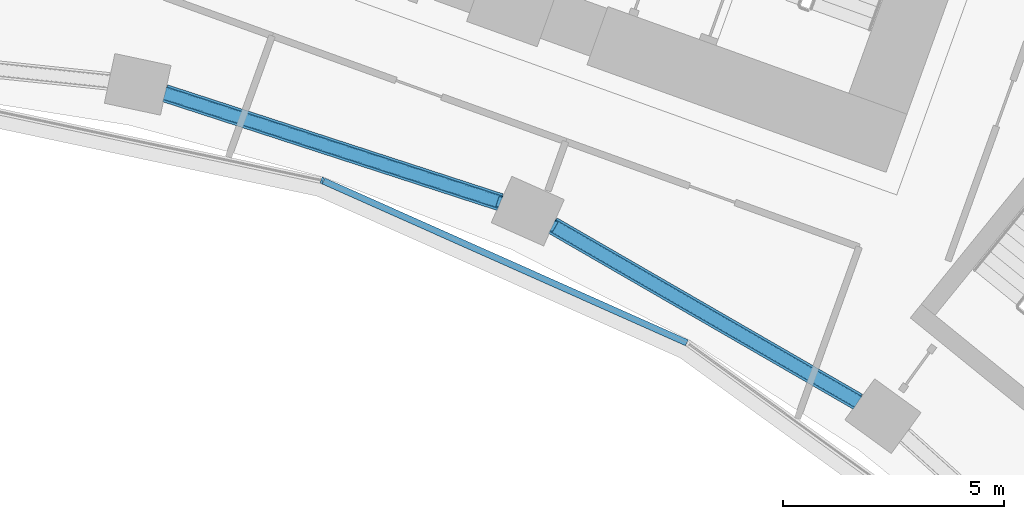
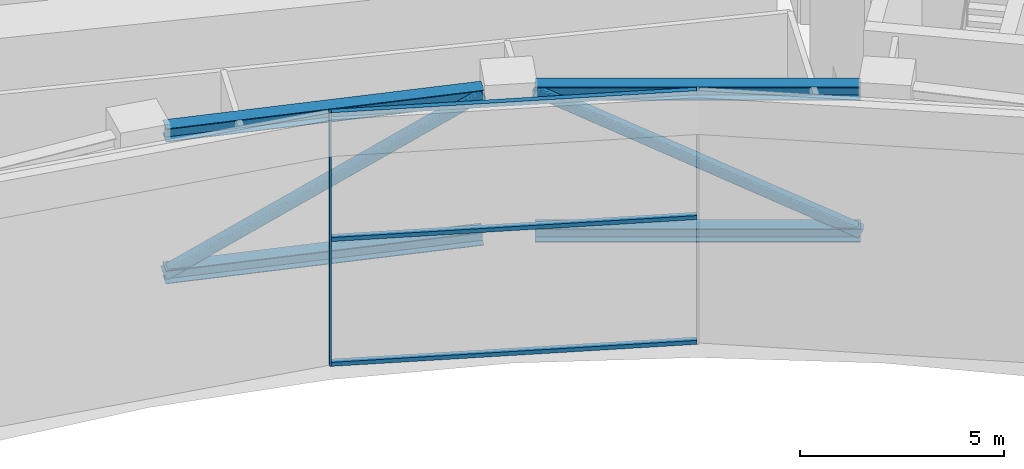
# One storey, part 10 of 30: 10 members, 1 element without a shape of its own.
"""IFC4 building model written with IfcOpenShell, lengths in metres."""

from ifc_helpers import new_model, si_unit, direction, frame, origin, origin_2d, place, context, subcontext, project, spatial, rectangle, hollow_rectangle, i_section, extrude, material, layer, layer_set, material_profile, profile_set, type_object, element, aggregate, save


model = new_model("IFC4")

# Units and contexts
model_context = context("Model", 3, precision=1e-05, world=origin(), true_north=direction((0.0, 1.0)))
body_context = subcontext(model_context, "Body", "Model", "MODEL_VIEW")
ifc_project = project(units=[si_unit("LENGTHUNIT", "METRE"), si_unit("AREAUNIT", "SQUARE_METRE"), si_unit("VOLUMEUNIT", "CUBIC_METRE"), si_unit("PLANEANGLEUNIT", "RADIAN"), si_unit("MASSUNIT", "GRAM", prefix="KILO")], contexts=[model_context])

# Site, building, storey
site_placement = place(None, origin())
site = spatial("IfcSite", under=ifc_project, at=site_placement, CompositionType="ELEMENT")
building_placement = place(site_placement, origin())
building = spatial("IfcBuilding", under=site, at=building_placement, Name="Stone Belt Terrace Tower", CompositionType="ELEMENT")
storey_placement = place(building_placement, frame((0.0, 0.0, 136.39990234375)))
storey = spatial("IfcBuildingStorey", under=building, at=storey_placement, Name="L33", CompositionType="ELEMENT", Elevation=136.39990234375)

# Members
ifc_material_1 = material(Name="Structural steel C345", Category="steel")
ifc_material_profile_1 = material_profile(ifc_material_1, i_section(OverallWidth=0.39990234375, OverallDepth=0.39990234375, WebThickness=0.012939453125, FlangeThickness=0.02099609375, at=origin_2d()), Name="I 40K2")
ifc_profile_set_1 = profile_set([ifc_material_profile_1], Name="Structural steel C345")
member_type_1 = type_object("IfcMemberType", Name="Belt chord I 40K2", PredefinedType="CHORD", material=ifc_profile_set_1)
for number, where, z_axis, x_axis, name in (
    (1, (9.8623046875, 43.271728515625, 7.050048828125), (0.951056312408, -0.309017621875, 0.0), (0.309017621875, 0.951056312408, 0.0), "Belt truss T2 ring P top chord 6"),
    (2, (9.8623046875, 43.271728515625, 2.800048828125), (0.951056312408, -0.309017621875, 0.0), (0.309017621875, 0.951056312408, 0.0), "Belt truss T2 ring P bot chord 6"),
    (3, (18.643310546875, 40.275634765625, 7.050048828125), (0.866042505541, -0.499970377718, 0.0), (0.499970377718, 0.866042505541, 0.0), "Belt truss T2 ring P top chord 7"),
    (4, (18.643310546875, 40.275634765625, 2.800048828125), (0.866042505541, -0.499970377718, 0.0), (0.499970377718, 0.866042505541, 0.0), "Belt truss T2 ring P bot chord 7"),
):
    element("IfcMember", number, at=place(storey_placement, frame(where, z_axis=z_axis, x_axis=x_axis)), inside=storey, type_object=member_type_1, Name=name, PredefinedType="CHORD", context=body_context, shape_type="SweptSolid", body=[
        extrude(i_section(OverallWidth=0.39990234375, OverallDepth=0.39990234375, WebThickness=0.012939453125, FlangeThickness=0.02099609375, at=origin_2d()), origin(), (0.0, 0.0, 1.0), 7.984375),
    ])
ifc_material_profile_2 = material_profile(ifc_material_1, hollow_rectangle(XDim=0.300048828125, YDim=0.300048828125, WallThickness=0.01611328125, InnerFilletRadius=0.031982421875, OuterFilletRadius=0.048095703125, at=origin_2d()), Name="SHS 300x300x16")
ifc_profile_set_2 = profile_set([ifc_material_profile_2], Name="Structural steel C345")
member_type_2 = type_object("IfcMemberType", Name="Belt diagonal SHS 300x300x16", PredefinedType="BRACE", material=ifc_profile_set_2)
for number, where, z_axis, x_axis, name in (
    (5, (9.8623046875, 43.271728515625, 2.800048828125), (0.839528826933, -0.27278006382, 0.469874861565), (0.309017621875, 0.951056312408, 0.0), "Belt truss T2 ring P diagonal 6"),
    (6, (18.643310546875, 40.275634765625, 7.050048828125), (0.764485884262, -0.441341266588, -0.469871492188), (0.499970377718, 0.866042505541, 0.0), "Belt truss T2 ring P diagonal 7"),
):
    element("IfcMember", number, at=place(storey_placement, frame(where, z_axis=z_axis, x_axis=x_axis)), inside=storey, type_object=member_type_2, Name=name, PredefinedType="BRACE", context=body_context, shape_type="SweptSolid", body=[
        extrude(hollow_rectangle(XDim=0.300048828125, YDim=0.300048828125, WallThickness=0.01611328125, InnerFilletRadius=0.031982421875, OuterFilletRadius=0.048095703125, at=origin_2d()), origin(), (0.0, 0.0, 1.0), 9.044921875),
    ])

# Curtain wall, members
ifc_material_2 = material(Name="Aluminium 6063-T6 anodised frame", Category="aluminium")
ifc_layer = layer(ifc_material_2, 0.14990234375)
ifc_layer_set = layer_set([ifc_layer], Name="CW-B unitised concave-face curtain wall")
curtain_wall_type = type_object("IfcCurtainWallType", Name="CW-B unitised concave-face curtain wall", PredefinedType="NOTDEFINED", material=ifc_layer_set)
curtain_wall_placement = place(storey_placement, origin())
curtain_wall = element("IfcCurtainWall", 7, at=curtain_wall_placement, inside=storey, type_object=curtain_wall_type, Name="CW-B concave face L33", PredefinedType="NOTDEFINED")
ifc_material_profile_3 = material_profile(ifc_material_2, rectangle(XDim=0.14990234375, YDim=0.050048828125, at=origin_2d()), Name="Aluminium 6063-T6 50x150")
ifc_profile_set_3 = profile_set([ifc_material_profile_3], Name="Aluminium 6063-T6 anodised frame")
member_type_3 = type_object("IfcMemberType", Name="CW-B mullion 50 x 150", PredefinedType="MULLION", material=ifc_profile_set_3)
member_1_placement = place(storey_placement, frame((13.4189453125, 41.29931640625, 0.0), z_axis=(0.0, 0.0, 1.0), x_axis=(0.309016994375, 0.951056516295, 0.0)))
member_1 = element("IfcMember", 8, at=member_1_placement, type_object=member_type_3, Name="CW-B mullion 7", PredefinedType="MULLION", context=body_context, shape_type="SweptSolid", body=[
    extrude(rectangle(XDim=0.14990234375, YDim=0.050048828125, at=origin_2d()), origin(), (0.0, 0.0, 1.0), 7.60009765625),
])
ifc_material_profile_4 = material_profile(ifc_material_2, rectangle(XDim=0.14990234375, YDim=0.1201171875, at=origin_2d()), Name="Aluminium 6063-T6 150x120")
ifc_profile_set_4 = profile_set([ifc_material_profile_4], Name="Aluminium 6063-T6 anodised frame")
member_type_4 = type_object("IfcMemberType", Name="CW-B transom 120 x 150", PredefinedType="USERDEFINED", material=ifc_profile_set_4)
member_2_placement = place(storey_placement, frame((13.44873046875, 41.285888671875, 0.06005859375), z_axis=(0.913548853737, -0.406729015237, 0.0), x_axis=(0.406729015237, 0.913548853737, 0.0)))
member_2 = element("IfcMember", 9, at=member_2_placement, type_object=member_type_4, Name="CW-B transom 7.1", ObjectType="TRANSOM", PredefinedType="USERDEFINED", context=body_context, shape_type="SweptSolid", body=[
    extrude(rectangle(XDim=0.14990234375, YDim=0.1201171875, at=origin_2d()), origin(), (0.0, 0.0, 1.0), 9.0126953125),
])
member_3_placement = place(storey_placement, frame((13.44873046875, 41.285888671875, 3.800048828125), z_axis=(0.913548853737, -0.406729015237, 0.0), x_axis=(0.406729015237, 0.913548853737, 0.0)))
member_3 = element("IfcMember", 10, at=member_3_placement, type_object=member_type_4, Name="CW-B transom 7.2", ObjectType="TRANSOM", PredefinedType="USERDEFINED", context=body_context, shape_type="SweptSolid", body=[
    extrude(rectangle(XDim=0.14990234375, YDim=0.1201171875, at=origin_2d()), origin(), (0.0, 0.0, 1.0), 9.0126953125),
])
member_4_placement = place(storey_placement, frame((13.44873046875, 41.285888671875, 7.5400390625), z_axis=(0.913548853737, -0.406729015237, 0.0), x_axis=(0.406729015237, 0.913548853737, 0.0)))
member_4 = element("IfcMember", 11, at=member_4_placement, type_object=member_type_4, Name="CW-B transom 7.3", ObjectType="TRANSOM", PredefinedType="USERDEFINED", context=body_context, shape_type="SweptSolid", body=[
    extrude(rectangle(XDim=0.14990234375, YDim=0.1201171875, at=origin_2d()), origin(), (0.0, 0.0, 1.0), 9.0126953125),
])
aggregate(curtain_wall, [member_1, member_2, member_3, member_4])

save(model, "model.ifc")
